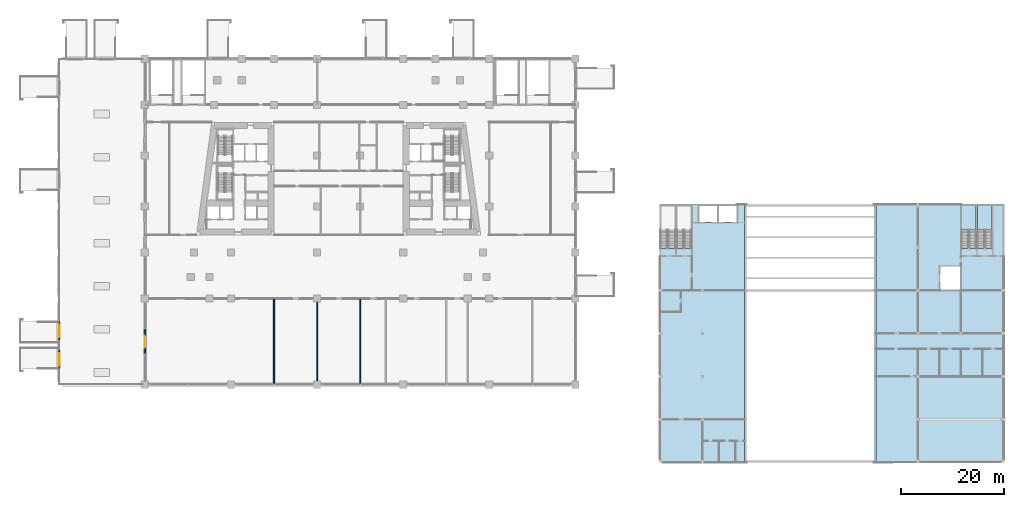
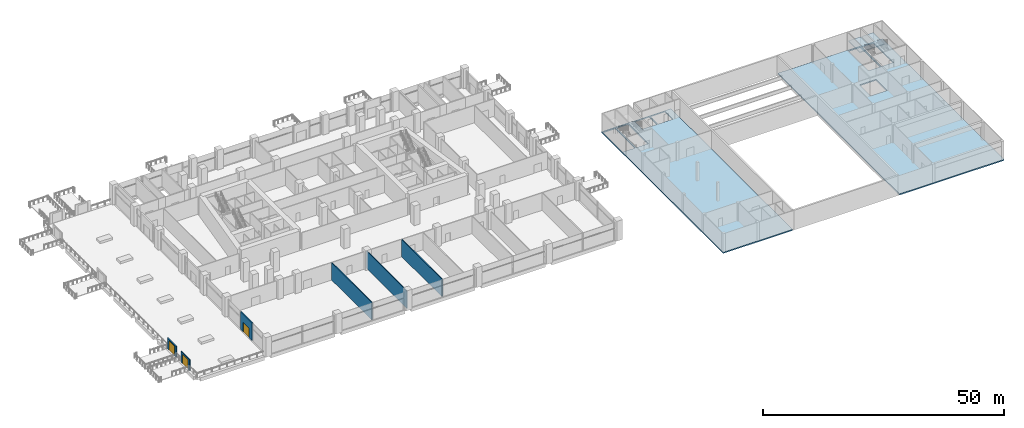
# One storey, part 15 of 33: 6 walls, 4 slabs, 3 doors, 3 openings, 2 elements without a shape of their own.
"""IFC4 building model written with IfcOpenShell, lengths in metres."""

from ifc_helpers import new_model, si_unit, direction, frame, frame_2d, origin, place, context, subcontext, project, spatial, polyline, rectangle, outline, extrude, material, layer, layer_set, type_object, element, fill, aggregate, save


model = new_model("IFC4")

# Units and contexts
model_context = context("Model", 3, precision=1e-05, world=origin(), true_north=direction((0.0, 1.0)))
body_context = subcontext(model_context, "Body", "Model", "MODEL_VIEW")
ifc_project = project(units=[si_unit("LENGTHUNIT", "METRE"), si_unit("AREAUNIT", "SQUARE_METRE"), si_unit("VOLUMEUNIT", "CUBIC_METRE"), si_unit("PLANEANGLEUNIT", "RADIAN"), si_unit("MASSUNIT", "GRAM", prefix="KILO")], contexts=[model_context])

# Site, building, storey
site_placement = place(None, origin())
site = spatial("IfcSite", under=ifc_project, at=site_placement, CompositionType="ELEMENT")
building_placement = place(site_placement, origin())
building = spatial("IfcBuilding", under=site, at=building_placement, Name="Candeia Pilgrim Tower and Theatre", CompositionType="ELEMENT")
storey_placement = place(building_placement, frame((0.0, 0.0, 29.0)))
storey = spatial("IfcBuildingStorey", under=building, at=storey_placement, Name="L04", CompositionType="ELEMENT", Elevation=29.0)

# Stair, slab
ifc_material_1 = material(Name="Concrete C35/45", Category="concrete")
stair_type = type_object("IfcStairType", Name="Theatre stair", PredefinedType="HALF_TURN_STAIR", material=ifc_material_1)
stair_1_placement = place(storey_placement, origin())
stair_1 = element("IfcStair", 1, at=stair_1_placement, inside=storey, type_object=stair_type, Name="L04 Theatre stair S3", PredefinedType="HALF_TURN_STAIR")
ifc_layer_1 = layer(ifc_material_1, 0.199951171875)
ifc_layer_set_1 = layer_set([ifc_layer_1], Name="Stair landing 200")
slab_type_1 = type_object("IfcSlabType", Name="Stair landing 200", PredefinedType="LANDING", material=ifc_layer_set_1)
slab_1_placement = place(storey_placement, frame((0.0, 0.0, 2.300048828125)))
slab_1 = element("IfcSlab", 2, at=slab_1_placement, type_object=slab_type_1, Name="TS3 landing 1", PredefinedType="LANDING", context=body_context, shape_type="SweptSolid", body=[
    extrude(outline(polyline([(237.77490234375, 111.4150390625), (237.77490234375, 116.14990234375), (234.925048828125, 116.14990234375), (234.925048828125, 111.4150390625), (237.77490234375, 111.4150390625)])), origin(), (0.0, 0.0, 1.0), 0.199951171875),
])
aggregate(stair_1, [slab_1])

stair_2_placement = place(storey_placement, origin())
stair_2 = element("IfcStair", 3, at=stair_2_placement, inside=storey, type_object=stair_type, Name="L04 Theatre stair S4", PredefinedType="HALF_TURN_STAIR")
slab_2_placement = place(storey_placement, frame((0.0, 0.0, 2.300048828125)))
slab_2 = element("IfcSlab", 4, at=slab_2_placement, type_object=slab_type_1, Name="TS4 landing 1", PredefinedType="LANDING", context=body_context, shape_type="SweptSolid", body=[
    extrude(outline(polyline([(240.875, 111.4150390625), (240.875, 116.14990234375), (238.02490234375, 116.14990234375), (238.02490234375, 111.4150390625), (240.875, 111.4150390625)])), origin(), (0.0, 0.0, 1.0), 0.199951171875),
])
aggregate(stair_2, [slab_2])

# Slabs
ifc_layer_2 = layer(ifc_material_1, 0.300048828125)
ifc_layer_set_2 = layer_set([ifc_layer_2], Name="Theatre floor slab 300")
slab_type_2 = type_object("IfcSlabType", Name="Theatre floor slab 300", PredefinedType="FLOOR", material=ifc_layer_set_2)
slab_3_placement = place(storey_placement, frame((0.0, 0.0, -0.300048828125)))
element("IfcSlab", 5, at=slab_3_placement, inside=storey, type_object=slab_type_2, Name="T-L04-F1", PredefinedType="FLOOR", context=body_context, shape_type="SweptSolid", body=[
    extrude(outline(polyline([(192.60009765625, 66.0), (176.0, 66.0), (176.0, 116.39990234375), (192.60009765625, 116.39990234375), (192.60009765625, 66.0)]), holes=[polyline([(179.10009765625, 116.14990234375), (176.125, 116.14990234375), (176.125, 107.794921875), (179.10009765625, 107.794921875), (179.10009765625, 116.14990234375)]), polyline([(182.199951171875, 107.794921875), (182.199951171875, 116.14990234375), (179.35009765625, 116.14990234375), (179.35009765625, 107.794921875), (182.199951171875, 107.794921875)]), polyline([(183.72509765625, 112.925048828125), (187.27490234375, 112.925048828125), (187.27490234375, 116.27490234375), (183.72509765625, 116.27490234375), (183.72509765625, 112.925048828125)]), polyline([(187.52490234375, 116.27490234375), (187.52490234375, 112.925048828125), (191.074951171875, 112.925048828125), (191.074951171875, 116.27490234375), (187.52490234375, 116.27490234375)])]), origin(), (0.0, 0.0, 1.0), 0.300048828125),
])
slab_4_placement = place(storey_placement, frame((0.0, 0.0, -0.300048828125)))
element("IfcSlab", 6, at=slab_4_placement, inside=storey, type_object=slab_type_2, Name="T-L04-F2", PredefinedType="FLOOR", context=body_context, shape_type="SweptSolid", body=[
    extrude(outline(polyline([(243.199951171875, 66.0), (218.199951171875, 66.0), (218.199951171875, 116.39990234375), (243.199951171875, 116.39990234375), (243.199951171875, 66.0)]), holes=[polyline([(234.925048828125, 107.794921875), (237.77490234375, 107.794921875), (237.77490234375, 116.14990234375), (234.925048828125, 116.14990234375), (234.925048828125, 107.794921875)]), polyline([(238.02490234375, 116.14990234375), (238.02490234375, 107.794921875), (240.875, 107.794921875), (240.875, 116.14990234375), (238.02490234375, 116.14990234375)]), polyline([(234.675048828125, 104.27490234375), (230.72509765625, 104.27490234375), (230.72509765625, 99.72509765625), (234.675048828125, 99.72509765625), (234.675048828125, 104.27490234375)])]), origin(), (0.0, 0.0, 1.0), 0.300048828125),
])

# Wall, opening, door
ifc_material_2 = material(Name="Ceramic block masonry", Category="masonry")
ifc_layer_3 = layer(ifc_material_2, 0.300048828125)
ifc_layer_set_3 = layer_set([ifc_layer_3], Name="EW2 entrance infill wall 300")
wall_type_1 = type_object("IfcWallType", Name="EW2 entrance infill wall 300", PredefinedType="SOLIDWALL", material=ifc_layer_set_3)
wall_1_placement = place(storey_placement, frame((75.60009765625, 87.199951171875, 0.0), z_axis=(0.0, 0.0, 1.0), x_axis=(0.0, 1.0, 0.0)))
wall_1 = element("IfcWall", 7, at=wall_1_placement, inside=storey, type_object=wall_type_1, Name="Entrance wall L04", PredefinedType="SOLIDWALL", context=body_context, shape_type="SweptSolid", body=[
    extrude(rectangle(XDim=4.800048828125, YDim=0.300048828125, at=frame_2d((2.39990234375, 0.0))), origin(), (0.0, 0.0, 1.0), 4.39990234375),
])
opening_1_placement = place(wall_1_placement, frame((1.199951171875, 0.0, 0.0)))
opening_1 = element("IfcOpeningElement", 8, at=opening_1_placement, cuts=wall_1, Name="Opening L04-ED074", PredefinedType="OPENING", context=body_context, shape_type="SweptSolid", body=[
    extrude(rectangle(XDim=2.39990234375, YDim=2.39990234375, at=frame_2d((1.199951171875, 1.199951171875))), frame((0.0, 0.16015625, 0.0), z_axis=(0.0, -1.0, 0.0), x_axis=(1.0, 0.0, 0.0)), (0.0, 0.0, 1.0), 0.320068359375),
])
ifc_material_3 = material(Name="Aluminium framed glazed door", Category="aluminium")
door_type = type_object("IfcDoorType", Name="ED entrance double door 2400x2400", OperationType="DOUBLE_DOOR_DOUBLE_SWING", PredefinedType="DOOR", material=ifc_material_3)
door_1_placement = place(opening_1_placement, origin())
door_1 = element("IfcDoor", 9, at=door_1_placement, inside=storey, type_object=door_type, Name="Entrance door L04-ED074", OperationType="DOUBLE_DOOR_DOUBLE_SWING", OverallHeight=2.39990234375, OverallWidth=2.39990234375, PredefinedType="DOOR", context=body_context, shape_type="SweptSolid", body=[
    extrude(rectangle(XDim=2.39990234375, YDim=2.39990234375, at=frame_2d((1.199951171875, 1.199951171875))), frame((0.0, 0.02490234375, 0.0), z_axis=(0.0, -1.0, 0.0), x_axis=(1.0, 0.0, 0.0)), (0.0, 0.0, 1.0), 0.050048828125),
])
fill(opening_1, door_1)

ifc_layer_4 = layer(ifc_material_1, 0.199951171875)
ifc_layer_set_4 = layer_set([ifc_layer_4], Name="Escape stair gate wall 200")
wall_type_2 = type_object("IfcWallType", Name="Escape stair gate wall 200", PredefinedType="SOLIDWALL", material=ifc_layer_set_4)
wall_2_placement = place(storey_placement, frame((58.949951171875, 84.300048828125, 0.0), z_axis=(0.0, 0.0, 1.0), x_axis=(0.0, 1.0, 0.0)))
wall_2 = element("IfcWall", 10, at=wall_2_placement, inside=storey, type_object=wall_type_2, Name="L04 External escape stair ES11 terrace gate wall", PredefinedType="SOLIDWALL", context=body_context, shape_type="SweptSolid", body=[
    extrude(rectangle(XDim=3.599853515625, YDim=0.199951171875, at=frame_2d((1.7998046875, 0.0))), origin(), (0.0, 0.0, 1.0), 2.699951171875),
])
opening_2_placement = place(wall_2_placement, frame((0.60009765625, 0.0, 0.0)))
opening_2 = element("IfcOpeningElement", 11, at=opening_2_placement, cuts=wall_2, Name="Opening XD-11-04", PredefinedType="OPENING", context=body_context, shape_type="SweptSolid", body=[
    extrude(rectangle(XDim=2.39990234375, YDim=2.39990234375, at=frame_2d((1.199951171875, 1.199951171875))), frame((0.0, 0.10986328125, 0.0), z_axis=(0.0, -1.0, 0.0), x_axis=(1.0, 0.0, 0.0)), (0.0, 0.0, 1.0), 0.219970703125),
])
door_2_placement = place(opening_2_placement, origin())
door_2 = element("IfcDoor", 12, at=door_2_placement, inside=storey, type_object=door_type, Name="Terrace gate door ES11 L04", OperationType="DOUBLE_DOOR_DOUBLE_SWING", OverallHeight=2.39990234375, OverallWidth=2.39990234375, PredefinedType="DOOR", context=body_context, shape_type="SweptSolid", body=[
    extrude(rectangle(XDim=2.39990234375, YDim=2.39990234375, at=frame_2d((1.199951171875, 1.199951171875))), frame((0.0, 0.02490234375, 0.0), z_axis=(0.0, -1.0, 0.0), x_axis=(1.0, 0.0, 0.0)), (0.0, 0.0, 1.0), 0.050048828125),
])
fill(opening_2, door_2)

wall_3_placement = place(storey_placement, frame((58.949951171875, 89.89990234375, 0.0), z_axis=(0.0, 0.0, 1.0), x_axis=(0.0, 1.0, 0.0)))
wall_3 = element("IfcWall", 13, at=wall_3_placement, inside=storey, type_object=wall_type_2, Name="L04 External escape stair ES12 terrace gate wall", PredefinedType="SOLIDWALL", context=body_context, shape_type="SweptSolid", body=[
    extrude(rectangle(XDim=3.60009765625, YDim=0.199951171875, at=frame_2d((1.800048828125, 0.0))), origin(), (0.0, 0.0, 1.0), 2.699951171875),
])
opening_3_placement = place(wall_3_placement, frame((0.60009765625, 0.0, 0.0)))
opening_3 = element("IfcOpeningElement", 14, at=opening_3_placement, cuts=wall_3, Name="Opening XD-12-04", PredefinedType="OPENING", context=body_context, shape_type="SweptSolid", body=[
    extrude(rectangle(XDim=2.39990234375, YDim=2.39990234375, at=frame_2d((1.199951171875, 1.199951171875))), frame((0.0, 0.10986328125, 0.0), z_axis=(0.0, -1.0, 0.0), x_axis=(1.0, 0.0, 0.0)), (0.0, 0.0, 1.0), 0.219970703125),
])
door_3_placement = place(opening_3_placement, origin())
door_3 = element("IfcDoor", 15, at=door_3_placement, inside=storey, type_object=door_type, Name="Terrace gate door ES12 L04", OperationType="DOUBLE_DOOR_DOUBLE_SWING", OverallHeight=2.39990234375, OverallWidth=2.39990234375, PredefinedType="DOOR", context=body_context, shape_type="SweptSolid", body=[
    extrude(rectangle(XDim=2.39990234375, YDim=2.39990234375, at=frame_2d((1.199951171875, 1.199951171875))), frame((0.0, 0.02490234375, 0.0), z_axis=(0.0, -1.0, 0.0), x_axis=(1.0, 0.0, 0.0)), (0.0, 0.0, 1.0), 0.050048828125),
])
fill(opening_3, door_3)

# Walls
ifc_material_4 = material(Name="Gypsum board partition on steel studs", Category="steel")
ifc_layer_5 = layer(ifc_material_4, 0.199951171875)
ifc_layer_set_5 = layer_set([ifc_layer_5], Name="PW-200 party wall")
wall_type_3 = type_object("IfcWallType", Name="PW-200 party wall", PredefinedType="PARTITIONING", material=ifc_layer_set_5)
for number, where, z_axis, x_axis, name in (
    (16, (100.800048828125, 81.25, 0.0), (0.0, 0.0, 1.0), (0.0, 1.0, 0.0), "Party wall L04-066"),
    (17, (109.199951171875, 81.25, 0.0), (0.0, 0.0, 1.0), (0.0, 1.0, 0.0), "Party wall L04-067"),
    (18, (117.60009765625, 81.25, 0.0), (0.0, 0.0, 1.0), (0.0, 1.0, 0.0), "Party wall L04-072"),
):
    element("IfcWall", number, at=place(storey_placement, frame(where, z_axis=z_axis, x_axis=x_axis)), inside=storey, type_object=wall_type_3, Name=name, PredefinedType="PARTITIONING", context=body_context, shape_type="SweptSolid", body=[
        extrude(rectangle(XDim=16.675048828125, YDim=0.199951171875, at=frame_2d((8.33740234375, 0.0))), origin(), (0.0, 0.0, 1.0), 4.39990234375),
    ])

save(model, "model.ifc")
